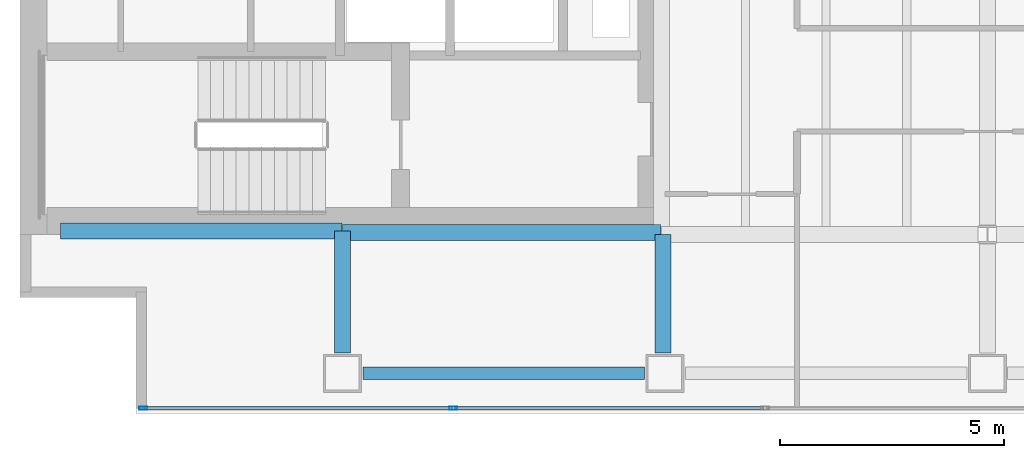
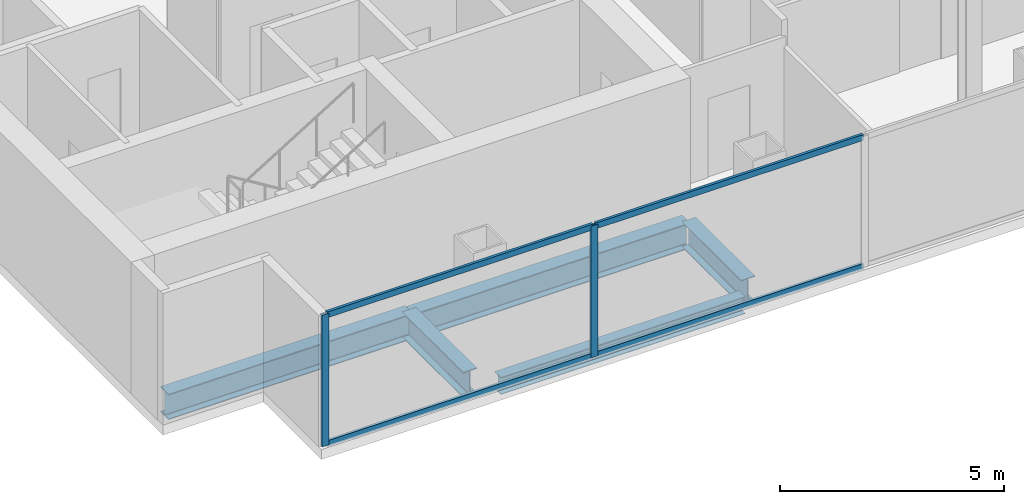
# One storey, part 2 of 23: 6 members, 5 beams, 1 element without a shape of its own.
"""IFC4 building model written with IfcOpenShell, lengths in metres."""

from ifc_helpers import new_model, si_unit, direction, frame, origin, origin_2d, place, context, subcontext, project, spatial, hollow_rectangle, i_section, extrude, material, material_profile, profile_set, type_object, element, aggregate, save


model = new_model("IFC4")

# Units and contexts
model_context = context("Model", 3, precision=1e-05, world=origin(), true_north=direction((0.0, 1.0)))
body_context = subcontext(model_context, "Body", "Model", "MODEL_VIEW")
ifc_project = project(units=[si_unit("LENGTHUNIT", "METRE"), si_unit("AREAUNIT", "SQUARE_METRE"), si_unit("VOLUMEUNIT", "CUBIC_METRE"), si_unit("PLANEANGLEUNIT", "RADIAN"), si_unit("MASSUNIT", "GRAM", prefix="KILO")], contexts=[model_context])

# Site, building, storey
site_placement = place(None, origin())
site = spatial("IfcSite", under=ifc_project, at=site_placement, CompositionType="ELEMENT")
building_placement = place(site_placement, origin())
building = spatial("IfcBuilding", under=site, at=building_placement, Name="Cobrela Telecom Tower", CompositionType="ELEMENT")
storey_placement = place(building_placement, frame((0.0, 0.0, 148.39990234375)))
storey = spatial("IfcBuildingStorey", under=building, at=storey_placement, Name="L37", CompositionType="ELEMENT", Elevation=148.39990234375)

# Beams
ifc_material_1 = material(Name="Steel ASTM A992 Grade 50", Category="steel")
ifc_material_profile_1 = material_profile(ifc_material_1, i_section(OverallWidth=0.35595703125, OverallDepth=0.696044921875, WebThickness=0.015380859375, FlangeThickness=0.024658203125, FilletRadius=0.01806640625, at=origin_2d()), Name="W27X146")
ifc_profile_set_1 = profile_set([ifc_material_profile_1], Name="Steel ASTM A992 Grade 50")
beam_type_1 = type_object("IfcBeamType", Name="BM-GIRD-05", PredefinedType="USERDEFINED", material=ifc_profile_set_1)
beam_1_placement = place(storey_placement, frame((0.905029296875, 7.280029296875, -0.617919921875), z_axis=(1.0, 0.0, 0.0), x_axis=(0.0, 1.0, 0.0)))
element("IfcBeam", 1, at=beam_1_placement, inside=storey, type_object=beam_type_1, Name="L37 Primary Girder X06", ObjectType="GIRDER", PredefinedType="USERDEFINED", context=body_context, shape_type="SweptSolid", body=[
    extrude(i_section(OverallWidth=0.35595703125, OverallDepth=0.696044921875, WebThickness=0.015380859375, FlangeThickness=0.024658203125, FilletRadius=0.01806640625, at=origin_2d()), origin(), (0.0, 0.0, 1.0), 6.2900390625),
])
beam_2_placement = place(storey_placement, frame((7.205078125, 7.239990234375, -0.617919921875), z_axis=(1.0, 0.0, 0.0), x_axis=(0.0, 1.0, 0.0)))
element("IfcBeam", 2, at=beam_2_placement, inside=storey, type_object=beam_type_1, Name="L37 Primary Girder X07", ObjectType="GIRDER", PredefinedType="USERDEFINED", context=body_context, shape_type="SweptSolid", body=[
    extrude(i_section(OverallWidth=0.35595703125, OverallDepth=0.696044921875, WebThickness=0.015380859375, FlangeThickness=0.024658203125, FilletRadius=0.01806640625, at=origin_2d()), origin(), (0.0, 0.0, 1.0), 7.10986328125),
])
beam_3_placement = place(storey_placement, frame((7.199951171875, 4.554931640625, -0.617919921875), z_axis=(0.0, 1.0, 0.0), x_axis=(-1.0, 0.0, 0.0)))
element("IfcBeam", 3, at=beam_3_placement, inside=storey, type_object=beam_type_1, Name="L37 Primary Girder Y31", ObjectType="GIRDER", PredefinedType="USERDEFINED", context=body_context, shape_type="SweptSolid", body=[
    extrude(i_section(OverallWidth=0.35595703125, OverallDepth=0.696044921875, WebThickness=0.015380859375, FlangeThickness=0.024658203125, FilletRadius=0.01806640625, at=origin_2d()), origin(), (0.0, 0.0, 1.0), 2.719970703125),
])
beam_4_placement = place(storey_placement, frame((14.360107421875, 4.554931640625, -0.617919921875), z_axis=(0.0, 1.0, 0.0), x_axis=(-1.0, 0.0, 0.0)))
element("IfcBeam", 4, at=beam_4_placement, inside=storey, type_object=beam_type_1, Name="L37 Primary Girder Y33", ObjectType="GIRDER", PredefinedType="USERDEFINED", context=body_context, shape_type="SweptSolid", body=[
    extrude(i_section(OverallWidth=0.35595703125, OverallDepth=0.696044921875, WebThickness=0.015380859375, FlangeThickness=0.024658203125, FilletRadius=0.01806640625, at=origin_2d()), origin(), (0.0, 0.0, 1.0), 2.64013671875),
])
ifc_material_profile_2 = material_profile(ifc_material_1, i_section(OverallWidth=0.281982421875, OverallDepth=0.467041015625, WebThickness=0.01220703125, FlangeThickness=0.01953125, FilletRadius=0.012939453125, at=origin_2d()), Name="W18X86")
ifc_profile_set_2 = profile_set([ifc_material_profile_2], Name="Steel ASTM A992 Grade 50")
beam_type_2 = type_object("IfcBeamType", Name="BM-SPAND-04", PredefinedType="SPANDREL", material=ifc_profile_set_2)
beam_5_placement = place(storey_placement, frame((7.655029296875, 4.10009765625, -0.50341796875), z_axis=(1.0, 0.0, 0.0), x_axis=(0.0, 1.0, 0.0)))
element("IfcBeam", 5, at=beam_5_placement, inside=storey, type_object=beam_type_2, Name="L37 Perimeter Spandrel X01", PredefinedType="SPANDREL", context=body_context, shape_type="SweptSolid", body=[
    extrude(i_section(OverallWidth=0.281982421875, OverallDepth=0.467041015625, WebThickness=0.01220703125, FlangeThickness=0.01953125, FilletRadius=0.012939453125, at=origin_2d()), origin(), (0.0, 0.0, 1.0), 6.2900390625),
])

# Curtain wall, members
ifc_material_2 = material(Name="Anodized Bronze Aluminium 6063-T6", Category="aluminium")
curtain_wall_type = type_object("IfcCurtainWallType", Name="CW-SYS-TEL", PredefinedType="USERDEFINED", material=ifc_material_2)
curtain_wall_placement = place(storey_placement, origin())
curtain_wall = element("IfcCurtainWall", 6, at=curtain_wall_placement, inside=storey, type_object=curtain_wall_type, Name="L37 Unitised Bronze Curtain Wall 17", ObjectType="UNITISED CURTAIN WALL", PredefinedType="USERDEFINED")
ifc_material_profile_3 = material_profile(ifc_material_2, hollow_rectangle(XDim=0.074951171875, YDim=0.179931640625, WallThickness=0.00390625, at=origin_2d()), Name="ALU 75x180x4")
ifc_profile_set_3 = profile_set([ifc_material_profile_3], Name="Anodized Bronze Aluminium 6063-T6")
member_type_1 = type_object("IfcMemberType", Name="CW-SYS-TEL-MUL", PredefinedType="MULLION", material=ifc_profile_set_3)
member_1_placement = place(storey_placement, frame((9.67333984375, 3.320068359375, 0.0), z_axis=(0.0, 0.0, 1.0), x_axis=(0.0, -1.0, 0.0)))
member_1 = element("IfcMember", 7, at=member_1_placement, type_object=member_type_1, Name="CW-TEL mullion 6", PredefinedType="MULLION", context=body_context, shape_type="SweptSolid", body=[
    extrude(hollow_rectangle(XDim=0.074951171875, YDim=0.179931640625, WallThickness=0.00390625, at=origin_2d()), origin(), (0.0, 0.0, 1.0), 3.580078125),
])
member_2_placement = place(storey_placement, frame((2.74755859375, 3.320068359375, 0.0), z_axis=(0.0, 0.0, 1.0), x_axis=(0.0, -1.0, 0.0)))
member_2 = element("IfcMember", 8, at=member_2_placement, type_object=member_type_1, Name="CW-TEL mullion 7", PredefinedType="MULLION", context=body_context, shape_type="SweptSolid", body=[
    extrude(hollow_rectangle(XDim=0.074951171875, YDim=0.179931640625, WallThickness=0.00390625, at=origin_2d()), origin(), (0.0, 0.0, 1.0), 3.580078125),
])
ifc_material_profile_4 = material_profile(ifc_material_2, hollow_rectangle(XDim=0.070068359375, YDim=0.159912109375, WallThickness=0.00390625, at=origin_2d()), Name="ALU 70x160x4")
ifc_profile_set_4 = profile_set([ifc_material_profile_4], Name="Anodized Bronze Aluminium 6063-T6")
member_type_2 = type_object("IfcMemberType", Name="CW-SYS-TEL-TRN", PredefinedType="USERDEFINED", material=ifc_profile_set_4)
member_3_placement = place(storey_placement, frame((16.59912109375, 3.320068359375, 0.03515625), z_axis=(-1.0, 0.0, 0.0), x_axis=(0.0, -1.0, 0.0)))
member_3 = element("IfcMember", 9, at=member_3_placement, type_object=member_type_2, Name="CW-TEL transom 5.1", ObjectType="TRANSOM", PredefinedType="USERDEFINED", context=body_context, shape_type="SweptSolid", body=[
    extrude(hollow_rectangle(XDim=0.070068359375, YDim=0.159912109375, WallThickness=0.00390625, at=origin_2d()), origin(), (0.0, 0.0, 1.0), 6.88818359375),
])
member_4_placement = place(storey_placement, frame((16.59912109375, 3.320068359375, 3.545166015625), z_axis=(-1.0, 0.0, 0.0), x_axis=(0.0, -1.0, 0.0)))
member_4 = element("IfcMember", 10, at=member_4_placement, type_object=member_type_2, Name="CW-TEL transom 5.2", ObjectType="TRANSOM", PredefinedType="USERDEFINED", context=body_context, shape_type="SweptSolid", body=[
    extrude(hollow_rectangle(XDim=0.070068359375, YDim=0.159912109375, WallThickness=0.00390625, at=origin_2d()), origin(), (0.0, 0.0, 1.0), 6.88818359375),
])
member_5_placement = place(storey_placement, frame((9.6357421875, 3.320068359375, 0.03515625), z_axis=(-1.0, 0.0, 0.0), x_axis=(0.0, -1.0, 0.0)))
member_5 = element("IfcMember", 11, at=member_5_placement, type_object=member_type_2, Name="CW-TEL transom 6.1", ObjectType="TRANSOM", PredefinedType="USERDEFINED", context=body_context, shape_type="SweptSolid", body=[
    extrude(hollow_rectangle(XDim=0.070068359375, YDim=0.159912109375, WallThickness=0.00390625, at=origin_2d()), origin(), (0.0, 0.0, 1.0), 6.850830078125),
])
member_6_placement = place(storey_placement, frame((9.6357421875, 3.320068359375, 3.545166015625), z_axis=(-1.0, 0.0, 0.0), x_axis=(0.0, -1.0, 0.0)))
member_6 = element("IfcMember", 12, at=member_6_placement, type_object=member_type_2, Name="CW-TEL transom 6.2", ObjectType="TRANSOM", PredefinedType="USERDEFINED", context=body_context, shape_type="SweptSolid", body=[
    extrude(hollow_rectangle(XDim=0.070068359375, YDim=0.159912109375, WallThickness=0.00390625, at=origin_2d()), origin(), (0.0, 0.0, 1.0), 6.850830078125),
])
aggregate(curtain_wall, [member_1, member_2, member_3, member_4, member_5, member_6])

save(model, "model.ifc")
